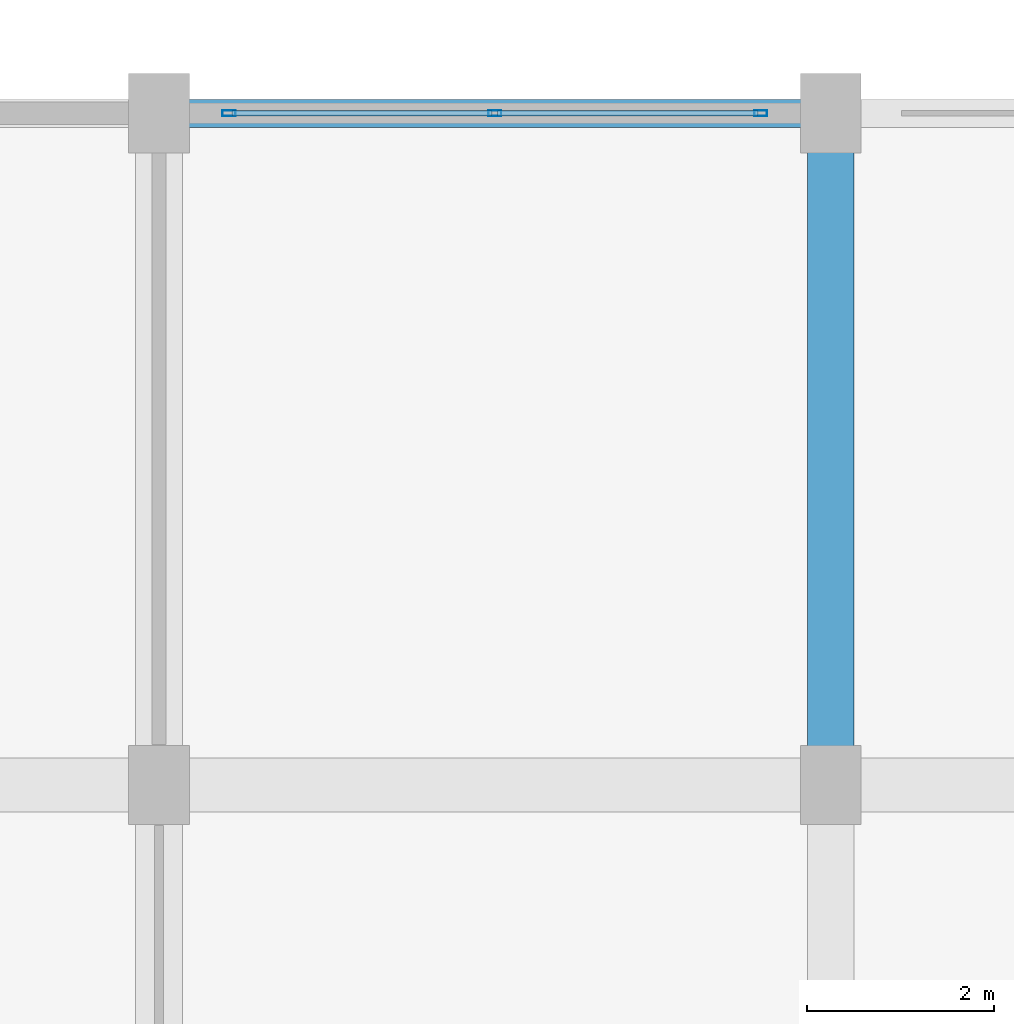
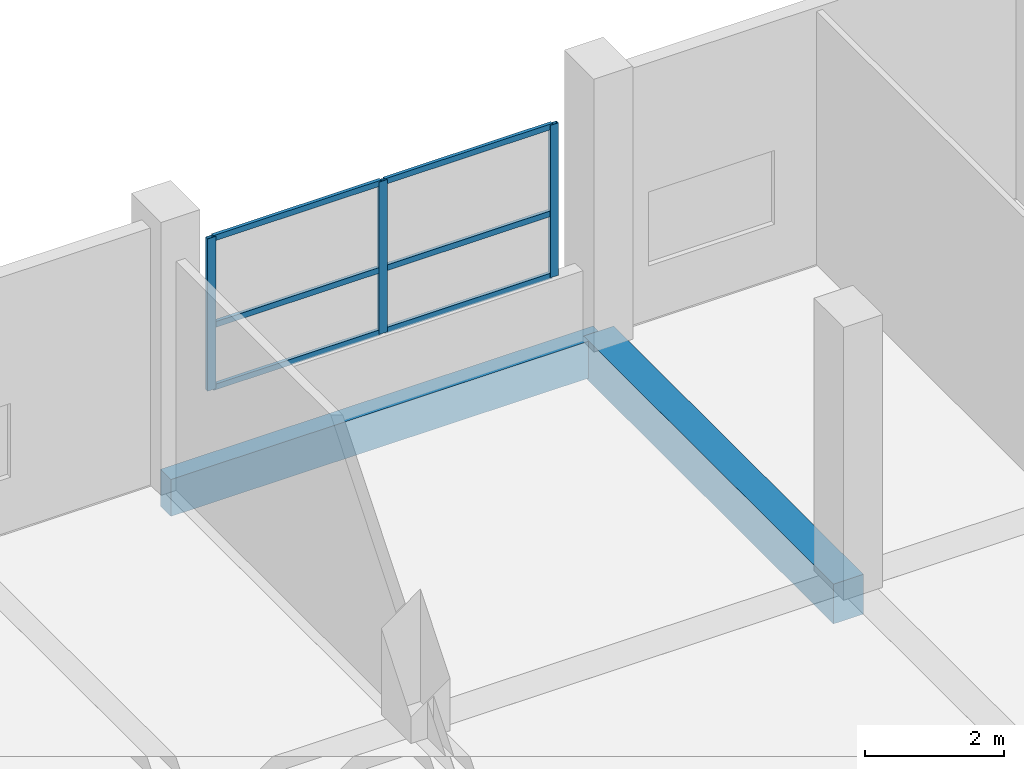
# One storey, part 108 of 140: 9 members, 2 beams, 1 element without a shape of its own.
"""IFC4 building model written with IfcOpenShell, lengths in metres."""

from ifc_helpers import new_model, si_unit, direction, frame, origin, origin_2d, place, context, subcontext, project, spatial, rectangle, hollow_rectangle, extrude, material, layer, layer_set, material_profile, profile_set, type_object, element, aggregate, save


model = new_model("IFC4")

# Units and contexts
model_context = context("Model", 3, precision=1e-05, world=origin(), true_north=direction((0.0, 1.0)))
body_context = subcontext(model_context, "Body", "Model", "MODEL_VIEW")
ifc_project = project(units=[si_unit("LENGTHUNIT", "METRE"), si_unit("AREAUNIT", "SQUARE_METRE"), si_unit("VOLUMEUNIT", "CUBIC_METRE"), si_unit("PLANEANGLEUNIT", "RADIAN"), si_unit("MASSUNIT", "GRAM", prefix="KILO")], contexts=[model_context])

# Site, building, storey
site_placement = place(None, origin())
site = spatial("IfcSite", under=ifc_project, at=site_placement, CompositionType="ELEMENT")
building_placement = place(site_placement, origin())
building = spatial("IfcBuilding", under=site, at=building_placement, Name="Seraya Terrace Polytechnic", CompositionType="ELEMENT")
storey_placement = place(building_placement, frame((0.0, 0.0, 9.60009765625)))
storey = spatial("IfcBuildingStorey", under=building, at=storey_placement, Name="L02", CompositionType="ELEMENT", Elevation=9.60009765625)

# Beam
ifc_material_1 = material(Name="Concrete C40/50", Category="concrete")
ifc_material_profile_1 = material_profile(ifc_material_1, rectangle(XDim=0.5, YDim=0.699951171875, at=origin_2d()), Name="RC 500x700")
ifc_profile_set_1 = profile_set([ifc_material_profile_1], Name="Concrete C40/50")
beam_type_1 = type_object("IfcBeamType", Name="BM-07", PredefinedType="BEAM", material=ifc_profile_set_1)
beam_1_placement = place(storey_placement, frame((144.0, 108.0, -0.35009765625), z_axis=(0.0, 1.0, 0.0), x_axis=(-1.0, 0.0, 0.0)))
element("IfcBeam", 1, at=beam_1_placement, inside=storey, type_object=beam_type_1, Name="Beam BM-07 L02 Y (144.0, 108.0..115.2)", PredefinedType="BEAM", context=body_context, shape_type="SweptSolid", body=[
    extrude(rectangle(XDim=0.5, YDim=0.699951171875, at=origin_2d()), origin(), (0.0, 0.0, 1.0), 7.199951171875),
])

# Curtain wall, members
ifc_material_2 = material(Name="Anodised aluminium EN AW-6063 T6", Category="aluminium")
ifc_layer = layer(ifc_material_2, 0.179931640625, Name="CW-24")
ifc_layer_set = layer_set([ifc_layer], Name="Anodised aluminium EN AW-6063 T6")
curtain_wall_type = type_object("IfcCurtainWallType", Name="CW-24", PredefinedType="NOTDEFINED", material=ifc_layer_set)
curtain_wall_placement = place(storey_placement, origin())
curtain_wall = element("IfcCurtainWall", 2, at=curtain_wall_placement, inside=storey, type_object=curtain_wall_type, Name="Unitised curtain wall CW-24 (CW-L02-096)", PredefinedType="NOTDEFINED")
ifc_material_profile_2 = material_profile(ifc_material_2, hollow_rectangle(XDim=0.06005859375, YDim=0.139892578125, WallThickness=0.00341796875, at=origin_2d()), Name="RHS 140x60x3.5")
ifc_profile_set_2 = profile_set([ifc_material_profile_2], Name="Anodised aluminium EN AW-6063 T6")
member_type_1 = type_object("IfcMemberType", Name="CWM-03", PredefinedType="MULLION", material=ifc_profile_set_2)
member_1_placement = place(storey_placement, frame((137.550048828125, 115.199951171875, 1.239990234375), z_axis=(0.0, 0.0, 1.0), x_axis=(0.0, 1.0, 0.0)))
member_1 = element("IfcMember", 3, at=member_1_placement, type_object=member_type_1, Name="CW-24 mullion 1", PredefinedType="MULLION", context=body_context, shape_type="SweptSolid", body=[
    extrude(hollow_rectangle(XDim=0.06005859375, YDim=0.139892578125, WallThickness=0.00341796875, at=origin_2d()), origin(), (0.0, 0.0, 1.0), 2.679931640625),
])
member_2_placement = place(storey_placement, frame((140.39990234375, 115.199951171875, 1.239990234375), z_axis=(0.0, 0.0, 1.0), x_axis=(0.0, 1.0, 0.0)))
member_2 = element("IfcMember", 4, at=member_2_placement, type_object=member_type_1, Name="CW-24 mullion 2", PredefinedType="MULLION", context=body_context, shape_type="SweptSolid", body=[
    extrude(hollow_rectangle(XDim=0.06005859375, YDim=0.139892578125, WallThickness=0.00341796875, at=origin_2d()), origin(), (0.0, 0.0, 1.0), 2.679931640625),
])
member_3_placement = place(storey_placement, frame((143.25, 115.199951171875, 1.239990234375), z_axis=(0.0, 0.0, 1.0), x_axis=(0.0, 1.0, 0.0)))
member_3 = element("IfcMember", 5, at=member_3_placement, type_object=member_type_1, Name="CW-24 mullion 3", PredefinedType="MULLION", context=body_context, shape_type="SweptSolid", body=[
    extrude(hollow_rectangle(XDim=0.06005859375, YDim=0.139892578125, WallThickness=0.00341796875, at=origin_2d()), origin(), (0.0, 0.0, 1.0), 2.679931640625),
])
ifc_material_profile_3 = material_profile(ifc_material_2, hollow_rectangle(XDim=0.054931640625, YDim=0.10009765625, WallThickness=0.0029296875, at=origin_2d()), Name="RHS 100x55x3.0")
ifc_profile_set_3 = profile_set([ifc_material_profile_3], Name="Anodised aluminium EN AW-6063 T6")
member_type_2 = type_object("IfcMemberType", Name="CWT-03", PredefinedType="USERDEFINED", material=ifc_profile_set_3)
member_4_placement = place(storey_placement, frame((137.580078125, 115.199951171875, 1.267333984375), z_axis=(1.0, 0.0, 0.0), x_axis=(0.0, 1.0, 0.0)))
member_4 = element("IfcMember", 6, at=member_4_placement, type_object=member_type_2, Name="CW-24 transom 1.1", ObjectType="TRANSOM", PredefinedType="USERDEFINED", context=body_context, shape_type="SweptSolid", body=[
    extrude(hollow_rectangle(XDim=0.054931640625, YDim=0.10009765625, WallThickness=0.0029296875, at=origin_2d()), origin(), (0.0, 0.0, 1.0), 2.7900390625),
])
member_5_placement = place(storey_placement, frame((137.580078125, 115.199951171875, 2.365478515625), z_axis=(1.0, 0.0, 0.0), x_axis=(0.0, 1.0, 0.0)))
member_5 = element("IfcMember", 7, at=member_5_placement, type_object=member_type_2, Name="CW-24 transom 1.2", ObjectType="TRANSOM", PredefinedType="USERDEFINED", context=body_context, shape_type="SweptSolid", body=[
    extrude(hollow_rectangle(XDim=0.054931640625, YDim=0.10009765625, WallThickness=0.0029296875, at=origin_2d()), origin(), (0.0, 0.0, 1.0), 2.7900390625),
])
member_6_placement = place(storey_placement, frame((137.580078125, 115.199951171875, 3.892333984375), z_axis=(1.0, 0.0, 0.0), x_axis=(0.0, 1.0, 0.0)))
member_6 = element("IfcMember", 8, at=member_6_placement, type_object=member_type_2, Name="CW-24 transom 1.3", ObjectType="TRANSOM", PredefinedType="USERDEFINED", context=body_context, shape_type="SweptSolid", body=[
    extrude(hollow_rectangle(XDim=0.054931640625, YDim=0.10009765625, WallThickness=0.0029296875, at=origin_2d()), origin(), (0.0, 0.0, 1.0), 2.7900390625),
])
member_7_placement = place(storey_placement, frame((140.429931640625, 115.199951171875, 1.267333984375), z_axis=(1.0, 0.0, 0.0), x_axis=(0.0, 1.0, 0.0)))
member_7 = element("IfcMember", 9, at=member_7_placement, type_object=member_type_2, Name="CW-24 transom 2.1", ObjectType="TRANSOM", PredefinedType="USERDEFINED", context=body_context, shape_type="SweptSolid", body=[
    extrude(hollow_rectangle(XDim=0.054931640625, YDim=0.10009765625, WallThickness=0.0029296875, at=origin_2d()), origin(), (0.0, 0.0, 1.0), 2.7900390625),
])
member_8_placement = place(storey_placement, frame((140.429931640625, 115.199951171875, 2.365478515625), z_axis=(1.0, 0.0, 0.0), x_axis=(0.0, 1.0, 0.0)))
member_8 = element("IfcMember", 10, at=member_8_placement, type_object=member_type_2, Name="CW-24 transom 2.2", ObjectType="TRANSOM", PredefinedType="USERDEFINED", context=body_context, shape_type="SweptSolid", body=[
    extrude(hollow_rectangle(XDim=0.054931640625, YDim=0.10009765625, WallThickness=0.0029296875, at=origin_2d()), origin(), (0.0, 0.0, 1.0), 2.7900390625),
])
member_9_placement = place(storey_placement, frame((140.429931640625, 115.199951171875, 3.892333984375), z_axis=(1.0, 0.0, 0.0), x_axis=(0.0, 1.0, 0.0)))
member_9 = element("IfcMember", 11, at=member_9_placement, type_object=member_type_2, Name="CW-24 transom 2.3", ObjectType="TRANSOM", PredefinedType="USERDEFINED", context=body_context, shape_type="SweptSolid", body=[
    extrude(hollow_rectangle(XDim=0.054931640625, YDim=0.10009765625, WallThickness=0.0029296875, at=origin_2d()), origin(), (0.0, 0.0, 1.0), 2.7900390625),
])
aggregate(curtain_wall, [member_1, member_2, member_3, member_4, member_5, member_6, member_7, member_8, member_9])

# Beam
ifc_material_profile_4 = material_profile(ifc_material_1, rectangle(XDim=0.300048828125, YDim=0.64990234375, at=origin_2d()), Name="RC 300x650")
ifc_profile_set_4 = profile_set([ifc_material_profile_4], Name="Concrete C40/50")
beam_type_2 = type_object("IfcBeamType", Name="SP-01", PredefinedType="SPANDREL", material=ifc_profile_set_4)
beam_2_placement = place(storey_placement, frame((136.800048828125, 115.199951171875, -0.3251953125), z_axis=(1.0, 0.0, 0.0), x_axis=(0.0, 1.0, 0.0)))
element("IfcBeam", 12, at=beam_2_placement, inside=storey, type_object=beam_type_2, Name="Beam SP-01 L02 X (136.8..144.0, 115.2)", PredefinedType="SPANDREL", context=body_context, shape_type="SweptSolid", body=[
    extrude(rectangle(XDim=0.300048828125, YDim=0.64990234375, at=origin_2d()), origin(), (0.0, 0.0, 1.0), 7.199951171875),
])

save(model, "model.ifc")
